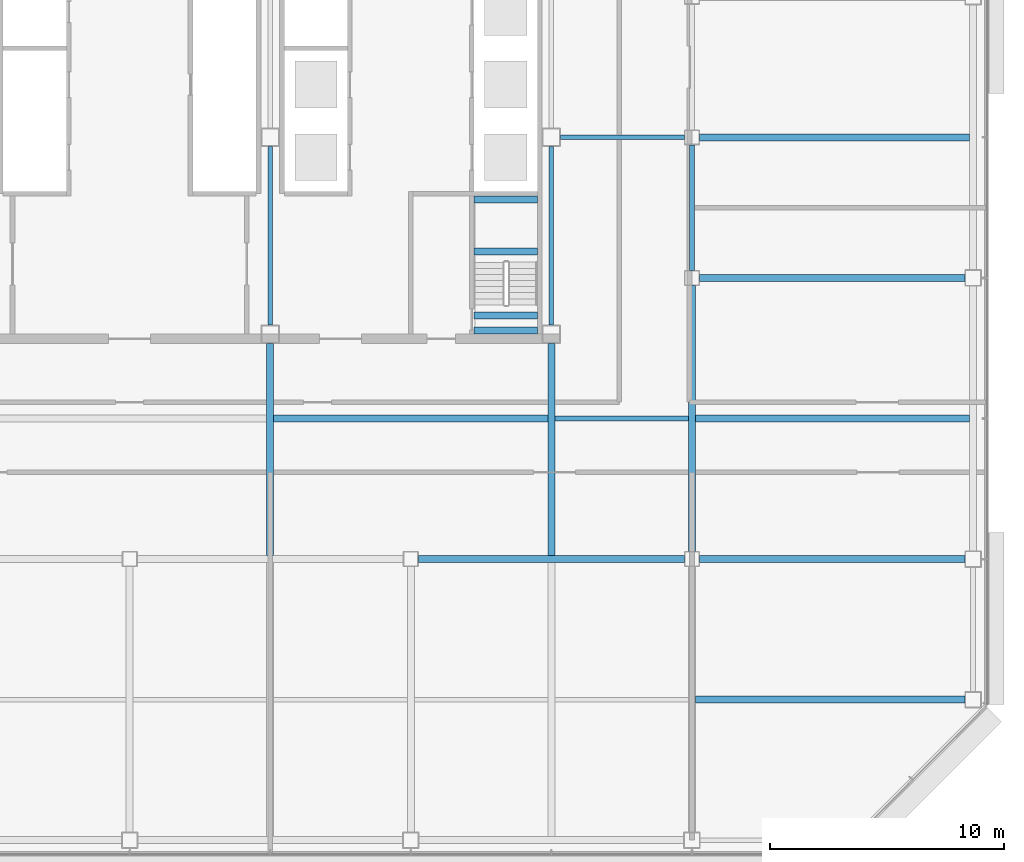
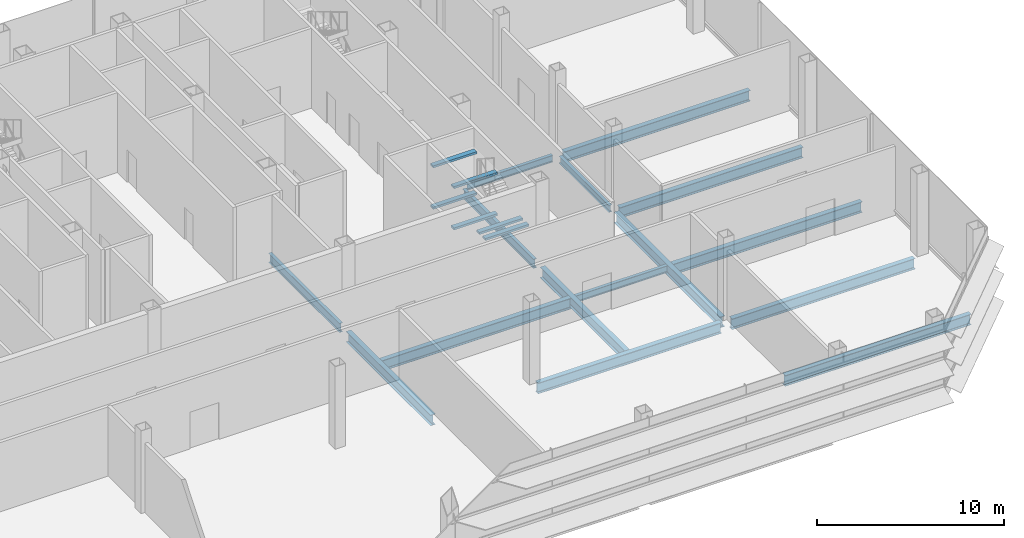
# One storey, part 8 of 24: 21 beams.
"""IFC4 building model written with IfcOpenShell, lengths in metres."""

from ifc_helpers import new_model, si_unit, direction, frame, origin, origin_2d, place, context, subcontext, project, spatial, rectangle, i_section, extrude, material, material_profile, profile_set, type_object, element, save


model = new_model("IFC4")

# Units and contexts
model_context = context("Model", 3, precision=1e-05, world=origin(), true_north=direction((0.0, 1.0)))
body_context = subcontext(model_context, "Body", "Model", "MODEL_VIEW")
ifc_project = project(units=[si_unit("LENGTHUNIT", "METRE"), si_unit("AREAUNIT", "SQUARE_METRE"), si_unit("VOLUMEUNIT", "CUBIC_METRE"), si_unit("PLANEANGLEUNIT", "RADIAN"), si_unit("MASSUNIT", "GRAM", prefix="KILO")], contexts=[model_context])

# Site, building, storey
site_placement = place(None, origin())
site = spatial("IfcSite", under=ifc_project, at=site_placement, CompositionType="ELEMENT")
building_placement = place(site_placement, origin())
building = spatial("IfcBuilding", under=site, at=building_placement, Name="Sorahane Residences", CompositionType="ELEMENT")
storey_placement = place(building_placement, frame((0.0, 0.0, 161.800048828125)))
storey = spatial("IfcBuildingStorey", under=building, at=storey_placement, Name="L37", CompositionType="ELEMENT", Elevation=161.800048828125)

# Beams
ifc_material_1 = material(Name="Concrete C40", Category="concrete")
ifc_material_profile_1 = material_profile(ifc_material_1, rectangle(XDim=0.300048828125, YDim=0.139892578125, at=origin_2d()), Name="300x140")
ifc_profile_set_1 = profile_set([ifc_material_profile_1], Name="Concrete C40")
beam_type_1 = type_object("IfcBeamType", Name="RC landing beam 300 x 140 Concrete C40", PredefinedType="BEAM", material=ifc_profile_set_1)
for number, where, z_axis, x_axis, name in (
    (1, (38.699951171875, 25.1201171875, 1.079833984375), (1.0, 0.0, 0.0), (0.0, 1.0, 0.0), "Landing beam"),
    (2, (38.699951171875, 27.35009765625, 1.079833984375), (1.0, 0.0, 0.0), (0.0, 1.0, 0.0), "Landing beam"),
    (3, (38.699951171875, 21.75, 2.429931640625), (1.0, 0.0, 0.0), (0.0, 1.0, 0.0), "Landing beam"),
    (4, (38.699951171875, 22.39990234375, 2.429931640625), (1.0, 0.0, 0.0), (0.0, 1.0, 0.0), "Landing beam"),
    (5, (38.699951171875, 25.1201171875, 3.780029296875), (1.0, 0.0, 0.0), (0.0, 1.0, 0.0), "Landing beam"),
    (6, (38.699951171875, 27.35009765625, 3.780029296875), (1.0, 0.0, 0.0), (0.0, 1.0, 0.0), "Landing beam"),
):
    element("IfcBeam", number, at=place(storey_placement, frame(where, z_axis=z_axis, x_axis=x_axis)), inside=storey, type_object=beam_type_1, Name=name, PredefinedType="BEAM", context=body_context, shape_type="SweptSolid", body=[
        extrude(rectangle(XDim=0.300048828125, YDim=0.139892578125, at=origin_2d()), origin(), (0.0, 0.0, 1.0), 2.699951171875),
    ])
ifc_material_2 = material(Name="Steel Q355B", Category="steel")
ifc_material_profile_2 = material_profile(ifc_material_2, i_section(OverallWidth=0.199951171875, OverallDepth=0.449951171875, WebThickness=0.009033203125, FlangeThickness=0.013916015625, FilletRadius=0.02001953125, at=origin_2d()), Name="HN 450x200x9x14")
ifc_profile_set_2 = profile_set([ifc_material_profile_2], Name="Steel Q355B")
beam_type_2 = type_object("IfcBeamType", Name="Steel floor beam HN 450x200x9x14 Q355B", PredefinedType="BEAM", material=ifc_profile_set_2)
beam_1_placement = place(storey_placement, frame((48.0, 24.324951171875, -0.445068359375), z_axis=(0.0, 1.0, 0.0), x_axis=(-1.0, 0.0, 0.0)))
element("IfcBeam", 7, at=beam_1_placement, inside=storey, type_object=beam_type_2, Name="Beam L37 060", PredefinedType="BEAM", context=body_context, shape_type="SweptSolid", body=[
    extrude(i_section(OverallWidth=0.199951171875, OverallDepth=0.449951171875, WebThickness=0.009033203125, FlangeThickness=0.013916015625, FilletRadius=0.02001953125, at=origin_2d()), origin(), (0.0, 0.0, 1.0), 5.35009765625),
])
beam_2_placement = place(storey_placement, frame((42.14990234375, 18.0, -0.445068359375), z_axis=(1.0, 0.0, 0.0), x_axis=(0.0, 1.0, 0.0)))
element("IfcBeam", 8, at=beam_2_placement, inside=storey, type_object=beam_type_2, Name="Beam L37 083", PredefinedType="BEAM", context=body_context, shape_type="SweptSolid", body=[
    extrude(i_section(OverallWidth=0.199951171875, OverallDepth=0.449951171875, WebThickness=0.009033203125, FlangeThickness=0.013916015625, FilletRadius=0.02001953125, at=origin_2d()), origin(), (0.0, 0.0, 1.0), 5.7001953125),
])
beam_3_placement = place(storey_placement, frame((42.39990234375, 30.0, -0.445068359375), z_axis=(1.0, 0.0, 0.0), x_axis=(0.0, 1.0, 0.0)))
element("IfcBeam", 9, at=beam_3_placement, inside=storey, type_object=beam_type_2, Name="Beam L37 087", PredefinedType="BEAM", context=body_context, shape_type="SweptSolid", body=[
    extrude(i_section(OverallWidth=0.199951171875, OverallDepth=0.449951171875, WebThickness=0.009033203125, FlangeThickness=0.013916015625, FilletRadius=0.02001953125, at=origin_2d()), origin(), (0.0, 0.0, 1.0), 5.275146484375),
])
ifc_material_3 = material(Name="Steel Q355B", Category="steel")
ifc_material_profile_3 = material_profile(ifc_material_3, i_section(OverallWidth=0.199951171875, OverallDepth=0.60009765625, WebThickness=0.010986328125, FlangeThickness=0.01708984375, FilletRadius=0.02392578125, at=origin_2d()), Name="HN 600x200x11x17")
ifc_profile_set_3 = profile_set([ifc_material_profile_3], Name="Steel Q355B")
beam_type_3 = type_object("IfcBeamType", Name="Steel floor beam HN 600x200x11x17 Q355B", PredefinedType="BEAM", material=ifc_profile_set_3)
for number, where, z_axis, x_axis, name in (
    (10, (30.0, 22.0, -0.52001953125), (0.0, 1.0, 0.0), (-1.0, 0.0, 0.0), "Beam L37 046"),
    (11, (42.0, 22.0, -0.52001953125), (0.0, 1.0, 0.0), (-1.0, 0.0, 0.0), "Beam L37 054"),
):
    element("IfcBeam", number, at=place(storey_placement, frame(where, z_axis=z_axis, x_axis=x_axis)), inside=storey, type_object=beam_type_3, Name=name, PredefinedType="BEAM", context=body_context, shape_type="SweptSolid", body=[
        extrude(i_section(OverallWidth=0.199951171875, OverallDepth=0.60009765625, WebThickness=0.010986328125, FlangeThickness=0.01708984375, FilletRadius=0.02392578125, at=origin_2d()), origin(), (0.0, 0.0, 1.0), 7.60009765625),
    ])
ifc_material_4 = material(Name="Steel Q355B", Category="steel")
ifc_material_profile_4 = material_profile(ifc_material_4, i_section(OverallWidth=0.300048828125, OverallDepth=0.699951171875, WebThickness=0.012939453125, FlangeThickness=0.02392578125, FilletRadius=0.028076171875, at=origin_2d()), Name="HN 700x300x13x24")
ifc_profile_set_4 = profile_set([ifc_material_profile_4], Name="Steel Q355B")
beam_type_4 = type_object("IfcBeamType", Name="Steel floor beam HN 700x300x13x24 Q355B", PredefinedType="BEAM", material=ifc_profile_set_4)
beam_4_placement = place(storey_placement, frame((36.324951171875, 12.0, -0.570068359375), z_axis=(1.0, 0.0, 0.0), x_axis=(0.0, 1.0, 0.0)))
element("IfcBeam", 12, at=beam_4_placement, inside=storey, type_object=beam_type_4, Name="Beam L37 009", PredefinedType="BEAM", context=body_context, shape_type="SweptSolid", body=[
    extrude(i_section(OverallWidth=0.300048828125, OverallDepth=0.699951171875, WebThickness=0.012939453125, FlangeThickness=0.02392578125, FilletRadius=0.028076171875, at=origin_2d()), origin(), (0.0, 0.0, 1.0), 11.35009765625),
])
for number, where, z_axis, x_axis, name in (
    (13, (48.324951171875, 12.0, -0.570068359375), (1.0, 0.0, 0.0), (0.0, 1.0, 0.0), "Beam L37 010"),
    (14, (48.324951171875, 24.0, -0.570068359375), (1.0, 0.0, 0.0), (0.0, 1.0, 0.0), "Beam L37 012"),
):
    element("IfcBeam", number, at=place(storey_placement, frame(where, z_axis=z_axis, x_axis=x_axis)), inside=storey, type_object=beam_type_4, Name=name, PredefinedType="BEAM", context=body_context, shape_type="SweptSolid", body=[
        extrude(i_section(OverallWidth=0.300048828125, OverallDepth=0.699951171875, WebThickness=0.012939453125, FlangeThickness=0.02392578125, FilletRadius=0.028076171875, at=origin_2d()), origin(), (0.0, 0.0, 1.0), 11.324951171875),
    ])
for number, where, z_axis, x_axis, name in (
    (15, (30.0, 12.14990234375, -0.570068359375), (0.0, 1.0, 0.0), (-1.0, 0.0, 0.0), "Beam L37 045"),
    (16, (42.0, 12.14990234375, -0.570068359375), (0.0, 1.0, 0.0), (-1.0, 0.0, 0.0), "Beam L37 053"),
):
    element("IfcBeam", number, at=place(storey_placement, frame(where, z_axis=z_axis, x_axis=x_axis)), inside=storey, type_object=beam_type_4, Name=name, PredefinedType="BEAM", context=body_context, shape_type="SweptSolid", body=[
        extrude(i_section(OverallWidth=0.300048828125, OverallDepth=0.699951171875, WebThickness=0.012939453125, FlangeThickness=0.02392578125, FilletRadius=0.028076171875, at=origin_2d()), origin(), (0.0, 0.0, 1.0), 9.050048828125),
    ])
beam_5_placement = place(storey_placement, frame((48.0, 12.324951171875, -0.570068359375), z_axis=(0.0, 1.0, 0.0), x_axis=(-1.0, 0.0, 0.0)))
element("IfcBeam", 17, at=beam_5_placement, inside=storey, type_object=beam_type_4, Name="Beam L37 059", PredefinedType="BEAM", context=body_context, shape_type="SweptSolid", body=[
    extrude(i_section(OverallWidth=0.300048828125, OverallDepth=0.699951171875, WebThickness=0.012939453125, FlangeThickness=0.02392578125, FilletRadius=0.028076171875, at=origin_2d()), origin(), (0.0, 0.0, 1.0), 11.35009765625),
])
beam_6_placement = place(storey_placement, frame((48.14990234375, 6.0, -0.570068359375), z_axis=(1.0, 0.0, 0.0), x_axis=(0.0, 1.0, 0.0)))
element("IfcBeam", 18, at=beam_6_placement, inside=storey, type_object=beam_type_4, Name="Beam L37 077", PredefinedType="BEAM", context=body_context, shape_type="SweptSolid", body=[
    extrude(i_section(OverallWidth=0.300048828125, OverallDepth=0.699951171875, WebThickness=0.012939453125, FlangeThickness=0.02392578125, FilletRadius=0.028076171875, at=origin_2d()), origin(), (0.0, 0.0, 1.0), 11.5),
])
for number, where, z_axis, x_axis, name in (
    (19, (30.14990234375, 18.0, -0.570068359375), (1.0, 0.0, 0.0), (0.0, 1.0, 0.0), "Beam L37 082"),
    (20, (48.14990234375, 18.0, -0.570068359375), (1.0, 0.0, 0.0), (0.0, 1.0, 0.0), "Beam L37 084"),
):
    element("IfcBeam", number, at=place(storey_placement, frame(where, z_axis=z_axis, x_axis=x_axis)), inside=storey, type_object=beam_type_4, Name=name, PredefinedType="BEAM", context=body_context, shape_type="SweptSolid", body=[
        extrude(i_section(OverallWidth=0.300048828125, OverallDepth=0.699951171875, WebThickness=0.012939453125, FlangeThickness=0.02392578125, FilletRadius=0.028076171875, at=origin_2d()), origin(), (0.0, 0.0, 1.0), 11.7001953125),
    ])
beam_7_placement = place(storey_placement, frame((48.324951171875, 30.0, -0.570068359375), z_axis=(1.0, 0.0, 0.0), x_axis=(0.0, 1.0, 0.0)))
element("IfcBeam", 21, at=beam_7_placement, inside=storey, type_object=beam_type_4, Name="Beam L37 088", PredefinedType="BEAM", context=body_context, shape_type="SweptSolid", body=[
    extrude(i_section(OverallWidth=0.300048828125, OverallDepth=0.699951171875, WebThickness=0.012939453125, FlangeThickness=0.02392578125, FilletRadius=0.028076171875, at=origin_2d()), origin(), (0.0, 0.0, 1.0), 11.525146484375),
])

save(model, "model.ifc")
